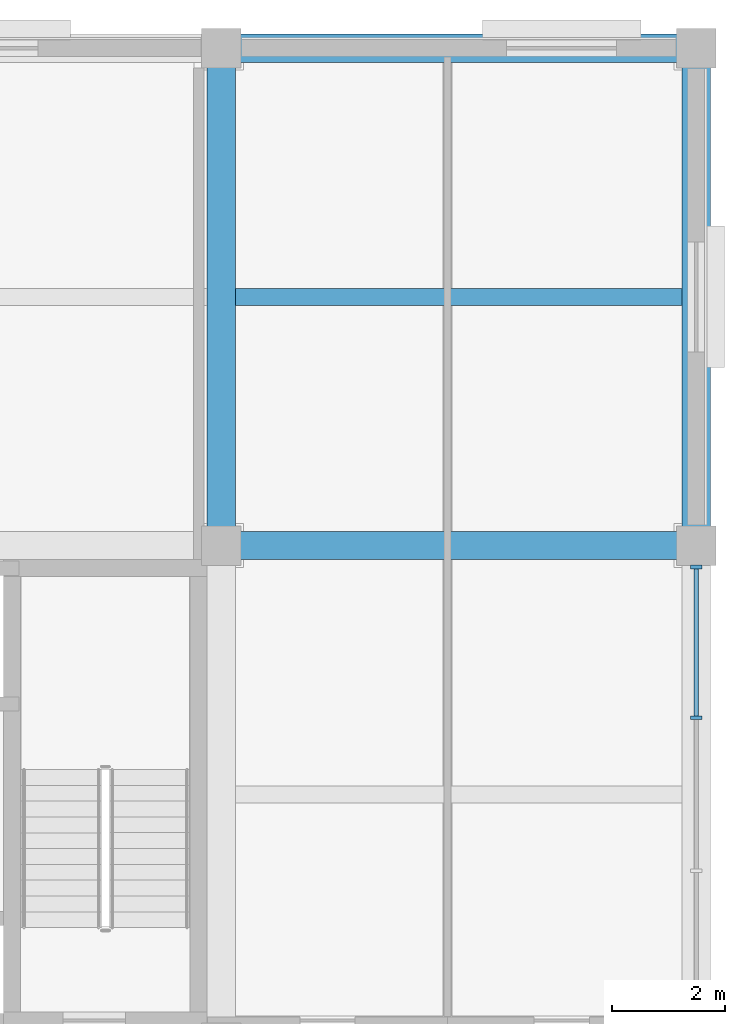
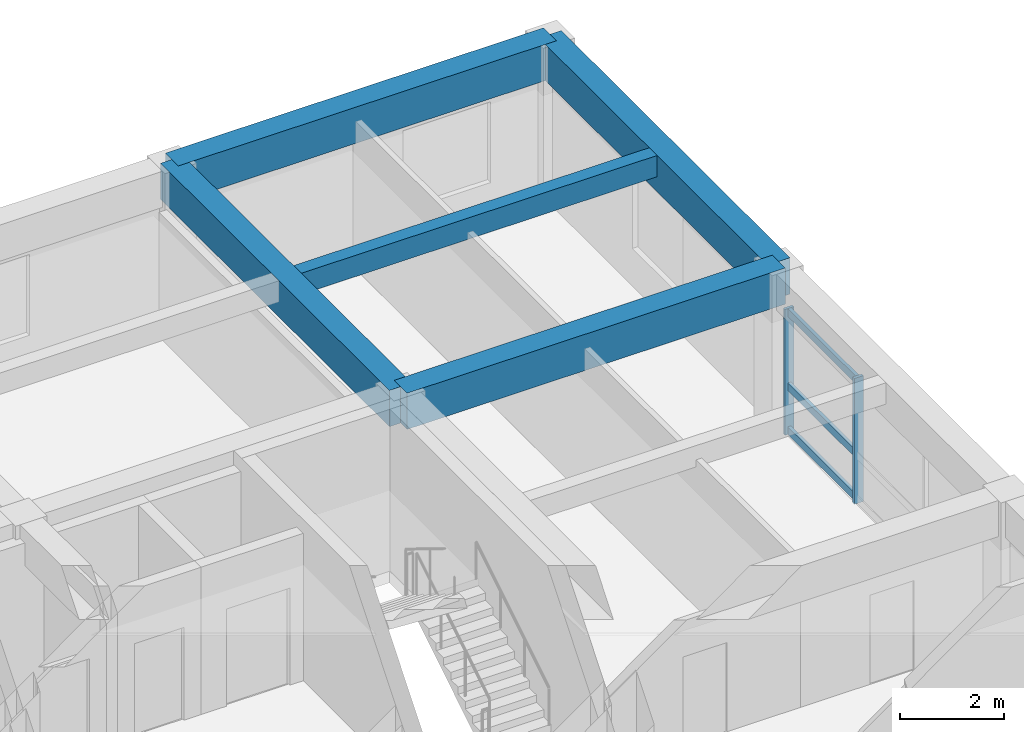
# One storey, part 6 of 12: 5 beams, 5 members, 1 element without a shape of its own.
"""IFC4 building model written with IfcOpenShell, lengths in metres."""

from ifc_helpers import new_model, si_unit, direction, frame, origin, origin_2d, place, context, subcontext, project, spatial, rectangle, extrude, material, material_profile, profile_set, type_object, element, aggregate, save


model = new_model("IFC4")

# Units and contexts
model_context = context("Model", 3, precision=1e-05, world=origin(), true_north=direction((0.0, 1.0)))
body_context = subcontext(model_context, "Body", "Model", "MODEL_VIEW")
ifc_project = project(units=[si_unit("LENGTHUNIT", "METRE"), si_unit("AREAUNIT", "SQUARE_METRE"), si_unit("VOLUMEUNIT", "CUBIC_METRE"), si_unit("PLANEANGLEUNIT", "RADIAN"), si_unit("MASSUNIT", "GRAM", prefix="KILO")], contexts=[model_context])

# Site, building, storey
site_placement = place(None, origin())
site = spatial("IfcSite", under=ifc_project, at=site_placement, CompositionType="ELEMENT")
building_placement = place(site_placement, origin())
building = spatial("IfcBuilding", under=site, at=building_placement, Name="Kemercrest Conservatory and Botanical Centre", CompositionType="ELEMENT")
storey_placement = place(building_placement, frame((0.0, 0.0, 21.0)))
storey = spatial("IfcBuildingStorey", under=building, at=storey_placement, Name="L05", CompositionType="ELEMENT", Elevation=21.0)

# Beams
ifc_material_1 = material(Name="Concrete C50/60", Category="concrete")
ifc_material_profile_1 = material_profile(ifc_material_1, rectangle(XDim=0.5, YDim=0.85009765625, at=origin_2d()), Name="RC 500x850")
ifc_profile_set_1 = profile_set([ifc_material_profile_1], Name="Concrete C50/60")
beam_type_1 = type_object("IfcBeamType", Name="BM-RC85", PredefinedType="BEAM", material=ifc_profile_set_1)
beam_1_placement = place(storey_placement, frame((167.60009765625, 113.60009765625, 3.375), z_axis=(1.0, 0.0, 0.0), x_axis=(0.0, 1.0, 0.0)))
element("IfcBeam", 1, at=beam_1_placement, inside=storey, type_object=beam_type_1, Name="V4-L06 beam BM-RC85 N/20-21", PredefinedType="BEAM", context=body_context, shape_type="SweptSolid", body=[
    extrude(rectangle(XDim=0.5, YDim=0.85009765625, at=origin_2d()), origin(), (0.0, 0.0, 1.0), 8.39990234375),
])
beam_2_placement = place(storey_placement, frame((167.60009765625, 113.60009765625, 3.375), z_axis=(0.0, 1.0, 0.0), x_axis=(-1.0, 0.0, 0.0)))
element("IfcBeam", 2, at=beam_2_placement, inside=storey, type_object=beam_type_1, Name="V4-L06 beam BM-RC85 20/N-P", PredefinedType="BEAM", context=body_context, shape_type="SweptSolid", body=[
    extrude(rectangle(XDim=0.5, YDim=0.85009765625, at=origin_2d()), origin(), (0.0, 0.0, 1.0), 8.7998046875),
])

# Curtain wall, members
ifc_material_2 = material(Name="Thermally broken aluminium and triple low-e glazing", Category="aluminium")
curtain_wall_type = type_object("IfcCurtainWallType", Name="CW-20", PredefinedType="USERDEFINED", material=ifc_material_2)
curtain_wall_placement = place(storey_placement, origin())
curtain_wall = element("IfcCurtainWall", 3, at=curtain_wall_placement, inside=storey, type_object=curtain_wall_type, Name="Unitised curtain wall CW-20 (CW:L05:V4-079)", ObjectType="UNITISED CURTAIN WALL", PredefinedType="USERDEFINED")
ifc_material_3 = material(Name="Thermally broken anodized aluminium 6063-T6", Category="aluminium")
ifc_material_profile_2 = material_profile(ifc_material_3, rectangle(XDim=0.199951171875, YDim=0.06494140625, at=origin_2d()), Name="AL MULLION 65x200")
ifc_profile_set_2 = profile_set([ifc_material_profile_2], Name="Thermally broken anodized aluminium 6063-T6")
member_type_1 = type_object("IfcMemberType", Name="CW-M200", PredefinedType="MULLION", material=ifc_profile_set_2)
member_1_placement = place(storey_placement, frame((176.0, 110.5517578125, 0.0), z_axis=(0.0, 0.0, 1.0), x_axis=(-1.0, 0.0, 0.0)))
member_1 = element("IfcMember", 4, at=member_1_placement, type_object=member_type_1, Name="CW-20 mullion 3", PredefinedType="MULLION", context=body_context, shape_type="SweptSolid", body=[
    extrude(rectangle(XDim=0.199951171875, YDim=0.06494140625, at=origin_2d()), origin(), (0.0, 0.0, 1.0), 2.955078125),
])
member_2_placement = place(storey_placement, frame((176.0, 113.222412109375, 0.0), z_axis=(0.0, 0.0, 1.0), x_axis=(-1.0, 0.0, 0.0)))
member_2 = element("IfcMember", 5, at=member_2_placement, type_object=member_type_1, Name="CW-20 mullion 4", PredefinedType="MULLION", context=body_context, shape_type="SweptSolid", body=[
    extrude(rectangle(XDim=0.199951171875, YDim=0.06494140625, at=origin_2d()), origin(), (0.0, 0.0, 1.0), 2.955078125),
])
ifc_material_profile_3 = material_profile(ifc_material_3, rectangle(XDim=0.074951171875, YDim=0.179931640625, at=origin_2d()), Name="AL TRANSOM 75x180")
ifc_profile_set_3 = profile_set([ifc_material_profile_3], Name="Thermally broken anodized aluminium 6063-T6")
member_type_2 = type_object("IfcMemberType", Name="CW-T180", PredefinedType="USERDEFINED", material=ifc_profile_set_3)
member_3_placement = place(storey_placement, frame((176.0, 110.584228515625, 0.090087890625), z_axis=(0.0, 1.0, 0.0), x_axis=(-1.0, 0.0, 0.0)))
member_3 = element("IfcMember", 6, at=member_3_placement, type_object=member_type_2, Name="CW-20 transom 3.1", ObjectType="TRANSOM", PredefinedType="USERDEFINED", context=body_context, shape_type="SweptSolid", body=[
    extrude(rectangle(XDim=0.074951171875, YDim=0.179931640625, at=origin_2d()), origin(), (0.0, 0.0, 1.0), 2.605712890625),
])
member_4_placement = place(storey_placement, frame((176.0, 110.584228515625, 1.1201171875), z_axis=(0.0, 1.0, 0.0), x_axis=(-1.0, 0.0, 0.0)))
member_4 = element("IfcMember", 7, at=member_4_placement, type_object=member_type_2, Name="CW-20 transom 3.2", ObjectType="TRANSOM", PredefinedType="USERDEFINED", context=body_context, shape_type="SweptSolid", body=[
    extrude(rectangle(XDim=0.074951171875, YDim=0.179931640625, at=origin_2d()), origin(), (0.0, 0.0, 1.0), 2.605712890625),
])
member_5_placement = place(storey_placement, frame((176.0, 110.584228515625, 2.864990234375), z_axis=(0.0, 1.0, 0.0), x_axis=(-1.0, 0.0, 0.0)))
member_5 = element("IfcMember", 8, at=member_5_placement, type_object=member_type_2, Name="CW-20 transom 3.3", ObjectType="TRANSOM", PredefinedType="USERDEFINED", context=body_context, shape_type="SweptSolid", body=[
    extrude(rectangle(XDim=0.074951171875, YDim=0.179931640625, at=origin_2d()), origin(), (0.0, 0.0, 1.0), 2.605712890625),
])
aggregate(curtain_wall, [member_1, member_2, member_3, member_4, member_5])

# Beams
ifc_material_4 = material(Name="Concrete C40/50", Category="concrete")
ifc_material_profile_4 = material_profile(ifc_material_4, rectangle(XDim=0.300048828125, YDim=0.5, at=origin_2d()), Name="RC 300x500")
ifc_profile_set_4 = profile_set([ifc_material_profile_4], Name="Concrete C40/50")
beam_type_2 = type_object("IfcBeamType", Name="JS-RC50", PredefinedType="JOIST", material=ifc_profile_set_4)
beam_3_placement = place(storey_placement, frame((167.85009765625, 118.0, 3.550048828125), z_axis=(1.0, 0.0, 0.0), x_axis=(0.0, 1.0, 0.0)))
element("IfcBeam", 9, at=beam_3_placement, inside=storey, type_object=beam_type_2, Name="V4-L06 secondary joist JS-RC50", PredefinedType="JOIST", context=body_context, shape_type="SweptSolid", body=[
    extrude(rectangle(XDim=0.300048828125, YDim=0.5, at=origin_2d()), origin(), (0.0, 0.0, 1.0), 7.89990234375),
])
ifc_material_profile_5 = material_profile(ifc_material_1, rectangle(XDim=0.5, YDim=0.85009765625, at=origin_2d()), Name="RC 500x850")
ifc_profile_set_5 = profile_set([ifc_material_profile_5], Name="Concrete C50/60")
beam_type_3 = type_object("IfcBeamType", Name="SP-RC85", PredefinedType="SPANDREL", material=ifc_profile_set_5)
beam_4_placement = place(storey_placement, frame((167.60009765625, 122.39990234375, 3.375), z_axis=(1.0, 0.0, 0.0), x_axis=(0.0, 1.0, 0.0)))
element("IfcBeam", 10, at=beam_4_placement, inside=storey, type_object=beam_type_3, Name="V4-L06 beam SP-RC85 P/20-21", PredefinedType="SPANDREL", context=body_context, shape_type="SweptSolid", body=[
    extrude(rectangle(XDim=0.5, YDim=0.85009765625, at=origin_2d()), origin(), (0.0, 0.0, 1.0), 8.39990234375),
])
beam_5_placement = place(storey_placement, frame((176.0, 113.60009765625, 3.375), z_axis=(0.0, 1.0, 0.0), x_axis=(-1.0, 0.0, 0.0)))
element("IfcBeam", 11, at=beam_5_placement, inside=storey, type_object=beam_type_3, Name="V4-L06 beam SP-RC85 21/N-P", PredefinedType="SPANDREL", context=body_context, shape_type="SweptSolid", body=[
    extrude(rectangle(XDim=0.5, YDim=0.85009765625, at=origin_2d()), origin(), (0.0, 0.0, 1.0), 8.7998046875),
])

save(model, "model.ifc")
